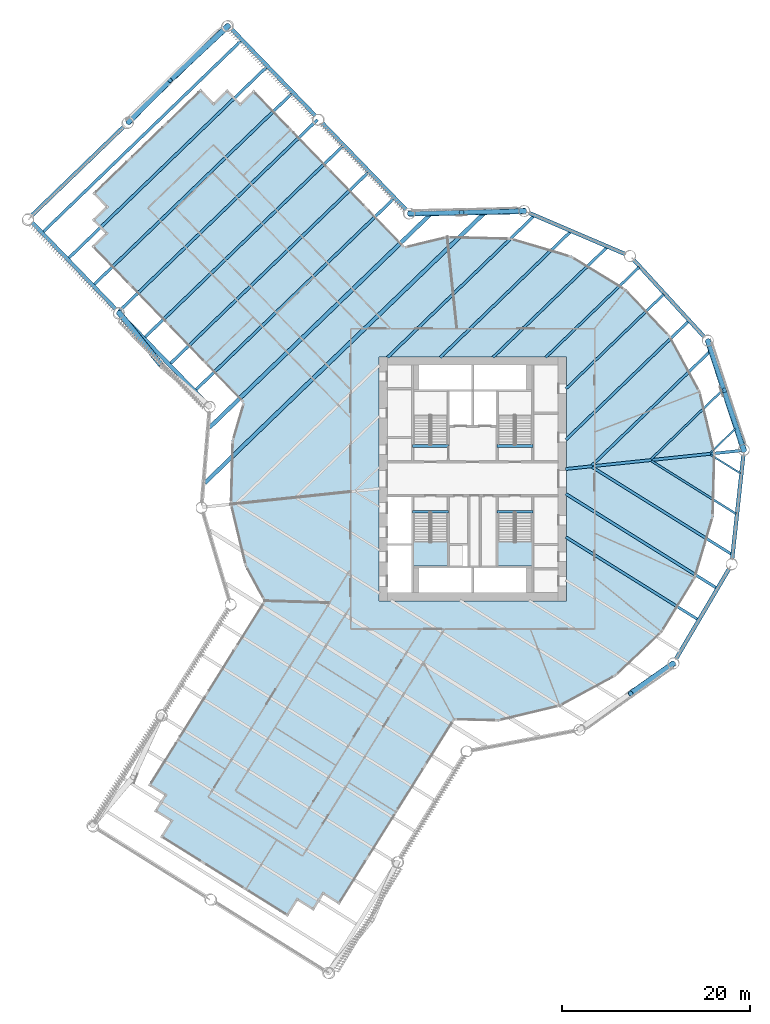
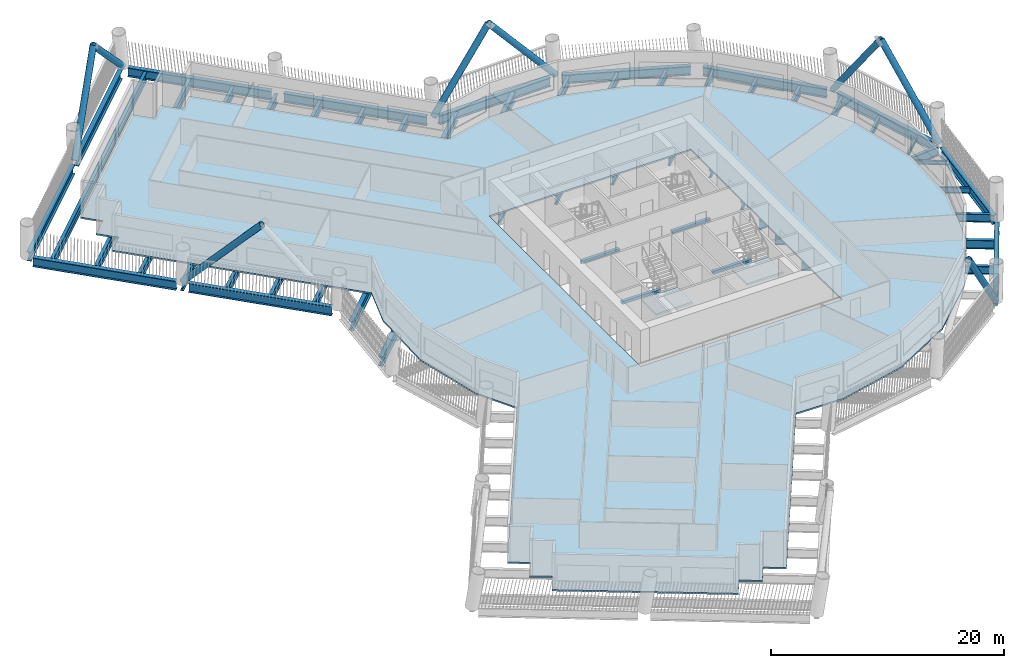
# One storey, part 2 of 22: 40 beams, 8 members, 3 slabs, 2 elements without a shape of their own.
"""IFC4 building model written with IfcOpenShell, lengths in metres."""

import ifcopenshell
import ifcopenshell.guid

model = None  # the IFC model being written
_history = None  # IfcOwnerHistory: only IFC2X3 demands one
_inside = {}  # id of a spatial element -> (the spatial element, [elements in it])
_under = {}  # id of a project, library or spatial element -> (it, [spatial elements below it])
_declared = {}  # id of a project -> (the project, [libraries it declares])
_typed = {}  # id of a type object -> (the type object, [elements of that type])
_made_of = {}  # id of a material, layer set ... -> (it, [elements and type objects made of it])


def new_model(schema):
    """Start an empty IFC model of exactly this schema.

    Asked for "IFC4X3", IfcOpenShell would pick the latest addendum, in which some entities
    have other attributes; the version numbers below select the first issue.
    IFC2X3 requires an IfcOwnerHistory on every rooted entity: one is made here for all.
    """
    global model, _history
    if schema == "IFC4X3":
        model = ifcopenshell.file(schema_version=(4, 3, 0, 0))
    else:
        model = ifcopenshell.file(schema=schema)
    _inside.clear()
    _under.clear()
    _declared.clear()
    _typed.clear()
    _made_of.clear()
    _history = None
    if model.schema == "IFC2X3":
        org = make("IfcOrganization", Name="unknown")
        user = make(
            "IfcPersonAndOrganization",
            ThePerson=make("IfcPerson", FamilyName="unknown"),
            TheOrganization=org,
        )
        app = make(
            "IfcApplication",
            ApplicationDeveloper=org,
            Version="unknown",
            ApplicationFullName="unknown",
            ApplicationIdentifier="unknown",
        )
        _history = make(
            "IfcOwnerHistory",
            OwningUser=user,
            OwningApplication=app,
            ChangeAction="ADDED",
            CreationDate=0,
        )
    return model


def make(cls, **values):
    """One entity of the class cls with the attributes given. An attribute that is None is left unset."""
    return model.create_entity(
        cls, **{name: value for name, value in values.items() if value is not None}
    )


def rooted(cls, **values):
    """An entity with a GlobalId (a new one), such as an element, a storey or a relation."""
    return make(cls, GlobalId=ifcopenshell.guid.new(), OwnerHistory=_history, **values)


def si_unit(unit_type, name, prefix=None):
    """IfcSIUnit, for example si_unit("LENGTHUNIT", "METRE", prefix="MILLI")."""
    return make("IfcSIUnit", UnitType=unit_type, Prefix=prefix, Name=name)


def assignment(units):
    """IfcUnitAssignment: the units of a project."""
    return None if units is None else make("IfcUnitAssignment", Units=units)


def point(xyz):
    """IfcCartesianPoint."""
    return None if xyz is None else make("IfcCartesianPoint", Coordinates=xyz)


def direction(xyz):
    """IfcDirection."""
    return None if xyz is None else make("IfcDirection", DirectionRatios=xyz)


def frame(location, z_axis=None, x_axis=None):
    """IfcAxis2Placement3D, a coordinate frame: its origin and axes. An axis left out is left unset."""
    return make(
        "IfcAxis2Placement3D",
        Location=point(location),
        Axis=direction(z_axis),
        RefDirection=direction(x_axis),
    )


def frame_2d(location, x_axis=None):
    """IfcAxis2Placement2D, a coordinate frame in the plane: its origin and x axis."""
    return make(
        "IfcAxis2Placement2D", Location=point(location), RefDirection=direction(x_axis)
    )


def origin():
    """The frame at (0, 0, 0) with its axes left unset."""
    return frame((0.0, 0.0, 0.0))


def origin_2d():
    """The frame at (0, 0) in the plane with its x axis left unset."""
    return frame_2d((0.0, 0.0))


def place(relative_to, where):
    """IfcLocalPlacement: puts the frame where relative to a parent placement (None: the world)."""
    return make(
        "IfcLocalPlacement", PlacementRelTo=relative_to, RelativePlacement=where
    )


def context(
    kind, dimensions, precision=None, world=None, true_north=None, identifier=None
):
    """IfcGeometricRepresentationContext, for example the 3D "Model" context."""
    return make(
        "IfcGeometricRepresentationContext",
        ContextIdentifier=identifier,
        ContextType=kind,
        CoordinateSpaceDimension=dimensions,
        Precision=precision,
        WorldCoordinateSystem=world,
        TrueNorth=true_north,
    )


def subcontext(parent, identifier, kind, view, scale=None):
    """IfcGeometricRepresentationSubContext, for example "Body" below "Model"."""
    return make(
        "IfcGeometricRepresentationSubContext",
        ContextIdentifier=identifier,
        ContextType=kind,
        ParentContext=parent,
        TargetScale=scale,
        TargetView=view,
    )


def project(units=None, contexts=None):
    """IfcProject with its units and contexts."""
    return rooted(
        "IfcProject",
        Name="project",
        RepresentationContexts=contexts,
        UnitsInContext=assignment(units),
    )


def spatial(cls, under=None, at=None, **own):
    """A site, building, storey or space (cls), placed at a placement, below another one or the project."""
    s = rooted(cls, ObjectPlacement=at, **own)
    if under is not None:
        _under.setdefault(under.id(), (under, []))[1].append(s)
    return s


def polyline(points):
    """IfcPolyline through the points."""
    return make("IfcPolyline", Points=[point(p) for p in points])


def profile(cls, at=None, kind="AREA", **sizes):
    """A parametric profile (cls). Its sizes go by their IFC names, for example OverallWidth=200.0."""
    return make(cls, ProfileType=kind, Position=at, **sizes)


def rectangle(**sizes):
    """IfcRectangleProfileDef."""
    return profile("IfcRectangleProfileDef", **sizes)


def hollow_circle(**sizes):
    """IfcCircleHollowProfileDef."""
    return profile("IfcCircleHollowProfileDef", **sizes)


def i_section(**sizes):
    """IfcIShapeProfileDef."""
    return profile("IfcIShapeProfileDef", **sizes)


def outline(outer, holes=None, kind="AREA"):
    """IfcArbitraryClosedProfileDef: a profile drawn as a closed curve; with holes, ...WithVoids."""
    if holes is None:
        return make("IfcArbitraryClosedProfileDef", ProfileType=kind, OuterCurve=outer)
    return make(
        "IfcArbitraryProfileDefWithVoids",
        ProfileType=kind,
        OuterCurve=outer,
        InnerCurves=holes,
    )


def extrude(swept, where, along, depth):
    """IfcExtrudedAreaSolid: the profile swept, set in the frame where, extruded along a direction by depth."""
    return make(
        "IfcExtrudedAreaSolid",
        SweptArea=swept,
        Position=where,
        ExtrudedDirection=direction(along),
        Depth=depth,
    )


def shape(context_of_items, identifier, shape_type, items):
    """IfcShapeRepresentation: the items that make up one representation, for example the "Body"."""
    return make(
        "IfcShapeRepresentation",
        ContextOfItems=context_of_items,
        RepresentationIdentifier=identifier,
        RepresentationType=shape_type,
        Items=items,
    )


def material(Name=None, Category=None):
    """IfcMaterial."""
    return make("IfcMaterial", Name=Name, Category=Category)


def layer(
    of_material, thickness, ventilated=None, Name=None, Category=None, Priority=None
):
    """IfcMaterialLayer: one layer of a wall or slab, of a material (None: an air gap)."""
    return make(
        "IfcMaterialLayer",
        Material=of_material,
        LayerThickness=thickness,
        IsVentilated=ventilated,
        Name=Name,
        Category=Category,
        Priority=Priority,
    )


def layer_set(layers, Name=None):
    """IfcMaterialLayerSet."""
    return make("IfcMaterialLayerSet", MaterialLayers=layers, LayerSetName=Name)


def material_profile(
    of_material, cross_section, Name=None, Category=None, Priority=None
):
    """IfcMaterialProfile: a cross section and its material."""
    return make(
        "IfcMaterialProfile",
        Name=Name,
        Material=of_material,
        Profile=cross_section,
        Priority=Priority,
        Category=Category,
    )


def profile_set(profiles, Name=None, composite=None):
    """IfcMaterialProfileSet."""
    return make(
        "IfcMaterialProfileSet",
        Name=Name,
        MaterialProfiles=profiles,
        CompositeProfile=composite,
    )


def made_of(thing, what):
    """Note that an element or type object is made of a material, layer set ...; save() writes the relation."""
    if what is not None:
        _made_of.setdefault(what.id(), (what, []))[1].append(thing)
    return thing


def type_object(cls, material=None, **own):
    """A type object (cls), such as IfcWallType, which elements share."""
    return made_of(rooted(cls, **own), material)


def element(
    cls,
    number,
    at=None,
    inside=None,
    cuts=None,
    type_object=None,
    material=None,
    context=None,
    identifier="Body",
    shape_type=None,
    held_by="IfcProductDefinitionShape",
    body=None,
    shapes=None,
    **own,
):
    """One element of the class cls, such as IfcWall. Its Tag is "e" and its number.

    at: its placement. inside: the storey or other place that contains it. cuts: it is an
    opening in that element (IfcRelVoidsElement). A single representation is given by context,
    identifier, shape_type and body (its items); several are given by shapes. held_by: the class
    of the entity that holds the representations. save() writes the other relations.
    """
    e = rooted(cls, Tag="e%d" % number, ObjectPlacement=at, **own)
    if body is not None:
        shapes = [shape(context, identifier, shape_type, body)]
    if shapes is not None:
        e.Representation = make(held_by, Representations=shapes)
    if inside is not None:
        _inside.setdefault(inside.id(), (inside, []))[1].append(e)
    if cuts is not None:
        rooted(
            "IfcRelVoidsElement", RelatingBuildingElement=cuts, RelatedOpeningElement=e
        )
    if type_object is not None:
        _typed.setdefault(type_object.id(), (type_object, []))[1].append(e)
    return made_of(e, material)


def aggregate(whole, parts):
    """IfcRelAggregates: a whole, such as a stair, and the parts it consists of."""
    return rooted("IfcRelAggregates", RelatingObject=whole, RelatedObjects=parts)


def save(model, path):
    """Write the relations noted so far, then the file.

    IfcRelAggregates (storeys below a building ...), IfcRelContainedInSpatialStructure (elements
    in a storey), IfcRelDefinesByType, IfcRelAssociatesMaterial and IfcRelDeclares: one each for
    every whole, place, type object, material and project.
    """
    for whole, parts in _under.values():
        aggregate(whole, parts)
    for where, things in _inside.values():
        rooted(
            "IfcRelContainedInSpatialStructure",
            RelatedElements=things,
            RelatingStructure=where,
        )
    for kind, things in _typed.values():
        rooted("IfcRelDefinesByType", RelatedObjects=things, RelatingType=kind)
    for what, things in _made_of.values():
        rooted("IfcRelAssociatesMaterial", RelatedObjects=things, RelatingMaterial=what)
    for by, libraries in _declared.values():
        rooted("IfcRelDeclares", RelatingContext=by, RelatedDefinitions=libraries)
    model.write(path)


model = new_model("IFC4")

# Units and contexts
model_context = context("Model", 3, precision=1e-05, world=origin(), true_north=direction((0.0, 1.0)))
body_context = subcontext(model_context, "Body", "Model", "MODEL_VIEW")
ifc_project = project(units=[si_unit("LENGTHUNIT", "METRE"), si_unit("AREAUNIT", "SQUARE_METRE"), si_unit("VOLUMEUNIT", "CUBIC_METRE"), si_unit("PLANEANGLEUNIT", "RADIAN"), si_unit("MASSUNIT", "GRAM", prefix="KILO")], contexts=[model_context])

# Site, building, storey
site_placement = place(None, origin())
site = spatial("IfcSite", under=ifc_project, at=site_placement, CompositionType="ELEMENT")
building_placement = place(site_placement, origin())
building = spatial("IfcBuilding", under=site, at=building_placement, Name="Tarsis Ring Headquarters", CompositionType="ELEMENT")
storey_placement = place(building_placement, frame((0.0, 0.0, 71.199951171875)))
storey = spatial("IfcBuildingStorey", under=building, at=storey_placement, Name="L15", CompositionType="ELEMENT", Elevation=71.199951171875)

# Beams
ifc_material_1 = material(Name="Structural steel S355", Category="steel")
ifc_material_profile_1 = material_profile(ifc_material_1, i_section(OverallWidth=0.177734375, OverallDepth=0.406494140625, WebThickness=0.0078125, FlangeThickness=0.0126953125, at=origin_2d()), Name="W16x40")
ifc_profile_set_1 = profile_set([ifc_material_profile_1], Name="Structural steel S355")
beam_type_1 = type_object("IfcBeamType", Name="FB Floor beam W16x40", PredefinedType="JOIST", material=ifc_profile_set_1)
beam_1_placement = place(storey_placement, frame((25.328369140625, 2.568115234375, -0.363037109375), z_axis=(0.848060616027, -0.529899227726, 0.0), x_axis=(0.529899227726, 0.848060616027, 0.0)))
element("IfcBeam", 1, at=beam_1_placement, inside=storey, type_object=beam_type_1, Name="Floor beam FB1", PredefinedType="JOIST", context=body_context, shape_type="SweptSolid", body=[
    extrude(i_section(OverallWidth=0.177734375, OverallDepth=0.406494140625, WebThickness=0.0078125, FlangeThickness=0.0126953125, at=origin_2d()), origin(), (0.0, 0.0, 1.0), 3.74169921875),
])
beam_2_placement = place(storey_placement, frame((28.00048828125, 5.353271484375, -0.363037109375), z_axis=(-0.719330630477, -0.694667866003, 0.0), x_axis=(0.694667866003, -0.719330630477, 0.0)))
element("IfcBeam", 2, at=beam_2_placement, inside=storey, type_object=beam_type_1, Name="Floor beam FB1", PredefinedType="JOIST", context=body_context, shape_type="SweptSolid", body=[
    extrude(i_section(OverallWidth=0.177734375, OverallDepth=0.406494140625, WebThickness=0.0078125, FlangeThickness=0.0126953125, at=origin_2d()), origin(), (0.0, 0.0, 1.0), 3.741943359375),
])
ifc_material_profile_2 = material_profile(ifc_material_1, i_section(OverallWidth=0.228271484375, OverallDepth=0.607177734375, WebThickness=0.01123046875, FlangeThickness=0.017333984375, at=origin_2d()), Name="W24x76")
ifc_profile_set_2 = profile_set([ifc_material_profile_2], Name="Structural steel S355")
beam_type_2 = type_object("IfcBeamType", Name="FB Floor beam W24x76", PredefinedType="JOIST", material=ifc_profile_set_2)
beam_3_placement = place(storey_placement, frame((19.028564453125, 1.906005859375, -0.463623046875), z_axis=(0.848047371716, -0.529920423579, 0.0), x_axis=(0.529920423579, 0.848047371716, 0.0)))
element("IfcBeam", 3, at=beam_3_placement, inside=storey, type_object=beam_type_2, Name="Floor beam FB4", PredefinedType="JOIST", context=body_context, shape_type="SweptSolid", body=[
    extrude(i_section(OverallWidth=0.228271484375, OverallDepth=0.607177734375, WebThickness=0.01123046875, FlangeThickness=0.017333984375, at=origin_2d()), origin(), (0.0, 0.0, 1.0), 10.621337890625),
])
beam_4_placement = place(storey_placement, frame((26.649169921875, 9.469970703125, -0.463623046875), z_axis=(-0.719331352462, -0.694667118385, 0.0), x_axis=(0.694667118385, -0.719331352462, 0.0)))
element("IfcBeam", 4, at=beam_4_placement, inside=storey, type_object=beam_type_2, Name="Floor beam FB4", PredefinedType="JOIST", context=body_context, shape_type="SweptSolid", body=[
    extrude(i_section(OverallWidth=0.228271484375, OverallDepth=0.607177734375, WebThickness=0.01123046875, FlangeThickness=0.017333984375, at=origin_2d()), origin(), (0.0, 0.0, 1.0), 10.62109375),
])
ifc_material_profile_3 = material_profile(ifc_material_1, i_section(OverallWidth=0.2666015625, OverallDepth=0.7568359375, WebThickness=0.013916015625, FlangeThickness=0.019287109375, at=origin_2d()), Name="W30x108")
ifc_profile_set_3 = profile_set([ifc_material_profile_3], Name="Structural steel S355")
beam_type_3 = type_object("IfcBeamType", Name="FB Floor beam W30x108", PredefinedType="JOIST", material=ifc_profile_set_3)
beam_5_placement = place(storey_placement, frame((20.352294921875, 19.65380859375, -0.538330078125), z_axis=(-0.719348044623, -0.694649833151, 0.0), x_axis=(0.694649833151, -0.719348044623, 0.0)))
element("IfcBeam", 5, at=beam_5_placement, inside=storey, type_object=beam_type_3, Name="Floor beam FB6", PredefinedType="JOIST", context=body_context, shape_type="SweptSolid", body=[
    extrude(i_section(OverallWidth=0.2666015625, OverallDepth=0.7568359375, WebThickness=0.013916015625, FlangeThickness=0.019287109375, at=origin_2d()), origin(), (0.0, 0.0, 1.0), 14.491455078125),
])
beam_6_placement = place(storey_placement, frame((17.7158203125, 22.529541015625, -0.538330078125), z_axis=(-0.719339963367, -0.694658201638, 0.0), x_axis=(0.694658201638, -0.719339963367, 0.0)))
element("IfcBeam", 6, at=beam_6_placement, inside=storey, type_object=beam_type_3, Name="Floor beam FB6", PredefinedType="JOIST", context=body_context, shape_type="SweptSolid", body=[
    extrude(i_section(OverallWidth=0.2666015625, OverallDepth=0.7568359375, WebThickness=0.013916015625, FlangeThickness=0.019287109375, at=origin_2d()), origin(), (0.0, 0.0, 1.0), 13.818359375),
])
ifc_material_profile_4 = material_profile(ifc_material_1, i_section(OverallWidth=0.2919921875, OverallDepth=0.835693359375, WebThickness=0.013916015625, FlangeThickness=0.018798828125, at=origin_2d()), Name="W33x118")
ifc_profile_set_4 = profile_set([ifc_material_profile_4], Name="Structural steel S355")
beam_type_4 = type_object("IfcBeamType", Name="FB Floor beam W33x118", PredefinedType="JOIST", material=ifc_profile_set_4)
beam_7_placement = place(storey_placement, frame((12.728515625, 1.243896484375, -0.577880859375), z_axis=(0.848050809283, -0.529914922298, 0.0), x_axis=(0.529914922298, 0.848050809283, 0.0)))
element("IfcBeam", 7, at=beam_7_placement, inside=storey, type_object=beam_type_4, Name="Floor beam FB7", PredefinedType="JOIST", context=body_context, shape_type="SweptSolid", body=[
    extrude(i_section(OverallWidth=0.2919921875, OverallDepth=0.835693359375, WebThickness=0.013916015625, FlangeThickness=0.018798828125, at=origin_2d()), origin(), (0.0, 0.0, 1.0), 17.500732421875),
])
beam_8_placement = place(storey_placement, frame((9.915283203125, -6.19580078125, -0.577880859375), z_axis=(0.848052828452, -0.529911690903, 0.0), x_axis=(0.529911690903, 0.848052828452, 0.0)))
element("IfcBeam", 8, at=beam_8_placement, inside=storey, type_object=beam_type_4, Name="Floor beam FB7", PredefinedType="JOIST", context=body_context, shape_type="SweptSolid", body=[
    extrude(i_section(OverallWidth=0.2919921875, OverallDepth=0.835693359375, WebThickness=0.013916015625, FlangeThickness=0.018798828125, at=origin_2d()), origin(), (0.0, 0.0, 1.0), 16.60107421875),
])
beam_9_placement = place(storey_placement, frame((25.298095703125, 13.586669921875, -0.577880859375), z_axis=(-0.719344970431, -0.694653016632, 0.0), x_axis=(0.694653016632, -0.719344970431, 0.0)))
element("IfcBeam", 9, at=beam_9_placement, inside=storey, type_object=beam_type_4, Name="Floor beam FB7", PredefinedType="JOIST", context=body_context, shape_type="SweptSolid", body=[
    extrude(i_section(OverallWidth=0.2919921875, OverallDepth=0.835693359375, WebThickness=0.013916015625, FlangeThickness=0.018798828125, at=origin_2d()), origin(), (0.0, 0.0, 1.0), 17.500732421875),
])
beam_10_placement = place(storey_placement, frame((22.988525390625, 16.7783203125, -0.577880859375), z_axis=(-0.719336351357, -0.694661941967, 0.0), x_axis=(0.694661941967, -0.719336351357, 0.0)))
element("IfcBeam", 10, at=beam_10_placement, inside=storey, type_object=beam_type_4, Name="Floor beam FB7", PredefinedType="JOIST", context=body_context, shape_type="SweptSolid", body=[
    extrude(i_section(OverallWidth=0.2919921875, OverallDepth=0.835693359375, WebThickness=0.013916015625, FlangeThickness=0.018798828125, at=origin_2d()), origin(), (0.0, 0.0, 1.0), 18.156494140625),
])
beam_11_placement = place(storey_placement, frame((14.28955078125, 24.642578125, -0.577880859375), z_axis=(-0.719336336343, -0.694661957513, 0.0), x_axis=(0.694661957513, -0.719336336343, 0.0)))
element("IfcBeam", 11, at=beam_11_placement, inside=storey, type_object=beam_type_4, Name="Floor beam FB7", PredefinedType="JOIST", context=body_context, shape_type="SweptSolid", body=[
    extrude(i_section(OverallWidth=0.2919921875, OverallDepth=0.835693359375, WebThickness=0.013916015625, FlangeThickness=0.018798828125, at=origin_2d()), origin(), (0.0, 0.0, 1.0), 16.860107421875),
])
ifc_material_profile_5 = material_profile(ifc_material_1, i_section(OverallWidth=0.3046875, OverallDepth=0.904296875, WebThickness=0.01513671875, FlangeThickness=0.02001953125, at=origin_2d()), Name="W36x135")
ifc_profile_set_5 = profile_set([ifc_material_profile_5], Name="Structural steel S355")
beam_type_5 = type_object("IfcBeamType", Name="FB Floor beam W36x135", PredefinedType="JOIST", material=ifc_profile_set_5)
beam_12_placement = place(storey_placement, frame((9.915283203125, -1.596923828125, -0.612060546875), z_axis=(0.848043930984, -0.529925929844, 0.0), x_axis=(0.529925929844, 0.848043930984, 0.0)))
element("IfcBeam", 12, at=beam_12_placement, inside=storey, type_object=beam_type_5, Name="Floor beam FB8", PredefinedType="JOIST", context=body_context, shape_type="SweptSolid", body=[
    extrude(i_section(OverallWidth=0.3046875, OverallDepth=0.904296875, WebThickness=0.01513671875, FlangeThickness=0.02001953125, at=origin_2d()), origin(), (0.0, 0.0, 1.0), 18.93701171875),
])
beam_13_placement = place(storey_placement, frame((10.397705078125, 26.305908203125, -0.612060546875), z_axis=(-0.719336350883, -0.694661942457, 0.0), x_axis=(0.694661942457, -0.719336350883, 0.0)))
element("IfcBeam", 13, at=beam_13_placement, inside=storey, type_object=beam_type_5, Name="Floor beam FB8", PredefinedType="JOIST", context=body_context, shape_type="SweptSolid", body=[
    extrude(i_section(OverallWidth=0.3046875, OverallDepth=0.904296875, WebThickness=0.01513671875, FlangeThickness=0.02001953125, at=origin_2d()), origin(), (0.0, 0.0, 1.0), 19.254638671875),
])
ifc_material_profile_6 = material_profile(ifc_material_1, i_section(OverallWidth=0.3046875, OverallDepth=0.91943359375, WebThickness=0.017333984375, FlangeThickness=0.02783203125, at=origin_2d()), Name="W36x170")
ifc_profile_set_6 = profile_set([ifc_material_profile_6], Name="Structural steel S355")
beam_type_6 = type_object("IfcBeamType", Name="FB Floor beam W36x170", PredefinedType="JOIST", material=ifc_profile_set_6)
beam_14_placement = place(storey_placement, frame((6.506103515625, 27.969482421875, -0.61962890625), z_axis=(-0.719336168915, -0.694662130889, 0.0), x_axis=(0.694662130889, -0.719336168915, 0.0)))
element("IfcBeam", 14, at=beam_14_placement, inside=storey, type_object=beam_type_6, Name="Floor beam FB9", PredefinedType="JOIST", context=body_context, shape_type="SweptSolid", body=[
    extrude(i_section(OverallWidth=0.3046875, OverallDepth=0.91943359375, WebThickness=0.017333984375, FlangeThickness=0.02783203125, at=origin_2d()), origin(), (0.0, 0.0, 1.0), 21.6494140625),
])
ifc_material_profile_7 = material_profile(ifc_material_1, i_section(OverallWidth=0.309814453125, OverallDepth=0.949951171875, WebThickness=0.0244140625, FlangeThickness=0.0439453125, at=origin_2d()), Name="W36x256")
ifc_profile_set_7 = profile_set([ifc_material_profile_7], Name="Structural steel S355")
beam_type_7 = type_object("IfcBeamType", Name="FB Floor beam W36x256", PredefinedType="JOIST", material=ifc_profile_set_7)
beam_15_placement = place(storey_placement, frame((-8.398681640625, 29.841064453125, -0.635009765625), z_axis=(-0.719336729341, -0.694661550556, 0.0), x_axis=(0.694661550556, -0.719336729341, 0.0)))
element("IfcBeam", 15, at=beam_15_placement, inside=storey, type_object=beam_type_7, Name="Floor beam FB11", PredefinedType="JOIST", context=body_context, shape_type="SweptSolid", body=[
    extrude(i_section(OverallWidth=0.309814453125, OverallDepth=0.949951171875, WebThickness=0.0244140625, FlangeThickness=0.0439453125, at=origin_2d()), origin(), (0.0, 0.0, 1.0), 29.375732421875),
])
beam_16_placement = place(storey_placement, frame((-11.107666015625, 32.646484375, -0.635009765625), z_axis=(-0.719340739788, -0.69465739763, 0.0), x_axis=(0.69465739763, -0.719340739788, 0.0)))
element("IfcBeam", 16, at=beam_16_placement, inside=storey, type_object=beam_type_7, Name="Floor beam FB11", PredefinedType="JOIST", context=body_context, shape_type="SweptSolid", body=[
    extrude(i_section(OverallWidth=0.309814453125, OverallDepth=0.949951171875, WebThickness=0.0244140625, FlangeThickness=0.0439453125, at=origin_2d()), origin(), (0.0, 0.0, 1.0), 29.3759765625),
])
for number, where, z_axis, x_axis, name in (
    (17, (-13.81689453125, 35.451904296875, -0.635009765625), (-0.719336729341, -0.694661550556, 0.0), (0.694661550556, -0.719336729341, 0.0), "Floor beam FB11"),
    (18, (-16.526123046875, 38.25732421875, -0.635009765625), (-0.719336729341, -0.694661550556, 0.0), (0.694661550556, -0.719336729341, 0.0), "Floor beam FB11"),
    (19, (-19.2353515625, 41.062744140625, -0.635009765625), (-0.719336729341, -0.694661550556, 0.0), (0.694661550556, -0.719336729341, 0.0), "Floor beam FB11"),
):
    element("IfcBeam", number, at=place(storey_placement, frame(where, z_axis=z_axis, x_axis=x_axis)), inside=storey, type_object=beam_type_7, Name=name, PredefinedType="JOIST", context=body_context, shape_type="SweptSolid", body=[
        extrude(i_section(OverallWidth=0.309814453125, OverallDepth=0.949951171875, WebThickness=0.0244140625, FlangeThickness=0.0439453125, at=origin_2d()), origin(), (0.0, 0.0, 1.0), 29.375732421875),
    ])
beam_17_placement = place(storey_placement, frame((-21.9443359375, 43.8681640625, -0.635009765625), z_axis=(-0.719340739788, -0.69465739763, 0.0), x_axis=(0.69465739763, -0.719340739788, 0.0)))
element("IfcBeam", 20, at=beam_17_placement, inside=storey, type_object=beam_type_7, Name="Floor beam FB11", PredefinedType="JOIST", context=body_context, shape_type="SweptSolid", body=[
    extrude(i_section(OverallWidth=0.309814453125, OverallDepth=0.949951171875, WebThickness=0.0244140625, FlangeThickness=0.0439453125, at=origin_2d()), origin(), (0.0, 0.0, 1.0), 29.3759765625),
])
beam_18_placement = place(storey_placement, frame((-24.653564453125, 46.673583984375, -0.635009765625), z_axis=(-0.719336729341, -0.694661550556, 0.0), x_axis=(0.694661550556, -0.719336729341, 0.0)))
element("IfcBeam", 21, at=beam_18_placement, inside=storey, type_object=beam_type_7, Name="Floor beam FB11", PredefinedType="JOIST", context=body_context, shape_type="SweptSolid", body=[
    extrude(i_section(OverallWidth=0.309814453125, OverallDepth=0.949951171875, WebThickness=0.0244140625, FlangeThickness=0.0439453125, at=origin_2d()), origin(), (0.0, 0.0, 1.0), 29.375732421875),
])
beam_type_8 = type_object("IfcBeamType", Name="FB Floor beam W36x256 spine", PredefinedType="BEAM", material=ifc_profile_set_7)
beam_19_placement = place(storey_placement, frame((28.77294921875, 3.024169921875, -0.635009765625), z_axis=(-0.994521443956, -0.104532758077, 0.0), x_axis=(0.104532758077, -0.994521443956, 0.0)))
element("IfcBeam", 22, at=beam_19_placement, inside=storey, type_object=beam_type_8, Name="Floor beam SB11", PredefinedType="BEAM", context=body_context, shape_type="SweptSolid", body=[
    extrude(i_section(OverallWidth=0.309814453125, OverallDepth=0.949951171875, WebThickness=0.0244140625, FlangeThickness=0.0439453125, at=origin_2d()), origin(), (0.0, 0.0, 1.0), 18.976318359375),
])
ifc_material_profile_8 = material_profile(ifc_material_1, i_section(OverallWidth=0.42431640625, OverallDepth=0.947509765625, WebThickness=0.02392578125, FlangeThickness=0.042724609375, at=origin_2d()), Name="W36x302")
ifc_profile_set_8 = profile_set([ifc_material_profile_8], Name="Structural steel S355")
beam_type_9 = type_object("IfcBeamType", Name="FB Floor beam W36x302", PredefinedType="JOIST", material=ifc_profile_set_8)
beam_20_placement = place(storey_placement, frame((1.216552734375, 28.282958984375, -0.633544921875), z_axis=(-0.719341031684, -0.694657095361, 0.0), x_axis=(0.694657095361, -0.719341031684, 0.0)))
element("IfcBeam", 23, at=beam_20_placement, inside=storey, type_object=beam_type_9, Name="Floor beam FB12", PredefinedType="JOIST", context=body_context, shape_type="SweptSolid", body=[
    extrude(i_section(OverallWidth=0.42431640625, OverallDepth=0.947509765625, WebThickness=0.02392578125, FlangeThickness=0.042724609375, at=origin_2d()), origin(), (0.0, 0.0, 1.0), 41.352783203125),
])
beam_21_placement = place(storey_placement, frame((-4.52197265625, 28.1630859375, -0.633544921875), z_axis=(-0.719338687684, -0.694659522645, 0.0), x_axis=(0.694659522645, -0.719338687684, 0.0)))
element("IfcBeam", 24, at=beam_21_placement, inside=storey, type_object=beam_type_9, Name="Floor beam FB12", PredefinedType="JOIST", context=body_context, shape_type="SweptSolid", body=[
    extrude(i_section(OverallWidth=0.42431640625, OverallDepth=0.947509765625, WebThickness=0.02392578125, FlangeThickness=0.042724609375, at=origin_2d()), origin(), (0.0, 0.0, 1.0), 32.704833984375),
])
ifc_material_2 = material(Name="Concrete C40/50", Category="concrete")
ifc_material_profile_9 = material_profile(ifc_material_2, rectangle(XDim=0.300048828125, YDim=0.300048828125, at=origin_2d()), Name="Stair head beam 300x300 C40/50")
ifc_profile_set_9 = profile_set([ifc_material_profile_9], Name="Concrete C40/50")
beam_type_10 = type_object("IfcBeamType", Name="Stair head beam 300x300 C40/50", PredefinedType="BEAM", material=ifc_profile_set_9)
for number, where, z_axis, x_axis, name in (
    (25, (-6.39990234375, 3.510009765625, -0.31005859375), (1.0, 0.0, 0.0), (0.0, 1.0, 0.0), "Stair head beam L15 Firefighting stair"),
    (26, (2.60009765625, 3.510009765625, -0.31005859375), (1.0, 0.0, 0.0), (0.0, 1.0, 0.0), "Stair head beam L15 Exit stair B"),
    (27, (-6.39990234375, -3.510009765625, -0.31005859375), (1.0, 0.0, 0.0), (0.0, 1.0, 0.0), "Stair head beam L15 Exit stair C"),
    (28, (2.60009765625, -3.510009765625, -0.31005859375), (1.0, 0.0, 0.0), (0.0, 1.0, 0.0), "Stair head beam L15 Exit stair D"),
):
    element("IfcBeam", number, at=place(storey_placement, frame(where, z_axis=z_axis, x_axis=x_axis)), inside=storey, type_object=beam_type_10, Name=name, PredefinedType="BEAM", context=body_context, shape_type="SweptSolid", body=[
        extrude(rectangle(XDim=0.300048828125, YDim=0.300048828125, at=origin_2d()), origin(), (0.0, 0.0, 1.0), 3.7998046875),
    ])

# Members
ifc_material_profile_10 = material_profile(ifc_material_1, hollow_circle(Radius=0.3046875, WallThickness=0.02490234375, at=origin_2d()), Name="CHS 610x25")
ifc_profile_set_10 = profile_set([ifc_material_profile_10], Name="Structural steel S355")
member_type = type_object("IfcMemberType", Name="XD X brace CHS 610x25", PredefinedType="BRACE", material=ifc_profile_set_10)
member_1_placement = place(storey_placement, frame((21.353271484375, -19.69384765625, 0.0), z_axis=(-0.473280425279, -0.332381510432, 0.815799099393), x_axis=(0.574721023729, -0.81834940269, 0.0)))
element("IfcMember", 29, at=member_1_placement, inside=storey, type_object=member_type, Name="X brace XD1", PredefinedType="BRACE", context=body_context, shape_type="SweptSolid", body=[
    extrude(hollow_circle(Radius=0.3046875, WallThickness=0.02490234375, at=origin_2d()), origin(), (0.0, 0.0, 1.0), 9.561279296875),
])
member_2_placement = place(storey_placement, frame((28.889404296875, 3.036376953125, 0.0), z_axis=(-0.204110360537, 0.619919708933, 0.757653294851), x_axis=(-0.949839613041, -0.312737444989, 0.0)))
element("IfcMember", 30, at=member_2_placement, inside=storey, type_object=member_type, Name="X brace XD1", PredefinedType="BRACE", context=body_context, shape_type="SweptSolid", body=[
    extrude(hollow_circle(Radius=0.3046875, WallThickness=0.02490234375, at=origin_2d()), origin(), (0.0, 0.0, 1.0), 10.294921875),
])
member_3_placement = place(storey_placement, frame((25.069580078125, 14.67431640625, 0.0), z_axis=(0.179735955537, -0.549702464951, 0.815795431658), x_axis=(0.95048228409, 0.310778743855, 0.0)))
element("IfcMember", 31, at=member_3_placement, inside=storey, type_object=member_type, Name="X brace XD1", PredefinedType="BRACE", context=body_context, shape_type="SweptSolid", body=[
    extrude(hollow_circle(Radius=0.3046875, WallThickness=0.02490234375, at=origin_2d()), origin(), (0.0, 0.0, 1.0), 9.561279296875),
])
member_4_placement = place(storey_placement, frame((5.529052734375, 28.517578125, 0.0), z_axis=(-0.652502405265, -0.01427608388, 0.757652165939), x_axis=(0.021873740365, -0.999760741119, 0.0)))
element("IfcMember", 32, at=member_4_placement, inside=storey, type_object=member_type, Name="X brace XD1", PredefinedType="BRACE", context=body_context, shape_type="SweptSolid", body=[
    extrude(hollow_circle(Radius=0.3046875, WallThickness=0.02490234375, at=origin_2d()), origin(), (0.0, 0.0, 1.0), 10.294921875),
])
member_5_placement = place(storey_placement, frame((-6.717041015625, 28.26123046875, 0.0), z_axis=(0.578225331968, 0.01143938833, 0.815796914597), x_axis=(-0.019779746259, 0.999804361682, 0.0)))
element("IfcMember", 33, at=member_5_placement, inside=storey, type_object=member_type, Name="X brace XD1", PredefinedType="BRACE", context=body_context, shape_type="SweptSolid", body=[
    extrude(hollow_circle(Radius=0.3046875, WallThickness=0.02490234375, at=origin_2d()), origin(), (0.0, 0.0, 1.0), 9.561279296875),
])
member_6_placement = place(storey_placement, frame((-26.03173828125, 48.26220703125, 0.0), z_axis=(-0.538796991275, -0.503052038961, 0.675748805615), x_axis=(0.682445009262, -0.730936939368, 0.0)))
element("IfcMember", 34, at=member_6_placement, inside=storey, type_object=member_type, Name="X brace XD1", PredefinedType="BRACE", context=body_context, shape_type="SweptSolid", body=[
    extrude(hollow_circle(Radius=0.3046875, WallThickness=0.02490234375, at=origin_2d()), origin(), (0.0, 0.0, 1.0), 11.542724609375),
])
member_7_placement = place(storey_placement, frame((-36.677978515625, 37.981201171875, 0.0), z_axis=(0.441687567713, 0.446413062013, 0.778220708149), x_axis=(-0.710859162546, 0.703334380665, 0.0)))
element("IfcMember", 35, at=member_7_placement, inside=storey, type_object=member_type, Name="X brace XD1", PredefinedType="BRACE", context=body_context, shape_type="SweptSolid", body=[
    extrude(hollow_circle(Radius=0.3046875, WallThickness=0.02490234375, at=origin_2d()), origin(), (0.0, 0.0, 1.0), 10.02294921875),
])
member_8_placement = place(storey_placement, frame((-37.6669921875, 17.69970703125, 0.0), z_axis=(0.427819660448, -0.532723354099, 0.730189130384), x_axis=(0.779695855583, 0.626158424671, 0.0)))
element("IfcMember", 36, at=member_8_placement, inside=storey, type_object=member_type, Name="X brace XD1", PredefinedType="BRACE", context=body_context, shape_type="SweptSolid", body=[
    extrude(hollow_circle(Radius=0.3046875, WallThickness=0.02490234375, at=origin_2d()), origin(), (0.0, 0.0, 1.0), 10.68212890625),
])

# Beams
beam_type_11 = type_object("IfcBeamType", Name="XG Ring girder W36x302", PredefinedType="BEAM", material=ifc_profile_set_8)
for number, where, z_axis, x_axis, name in (
    (37, (21.6318359375, -19.22119140625, -0.4736328125), (0.507741347083, 0.861509561446, 0.0), (-0.861509561446, 0.507741347083, 0.0), "Ring girder XG1"),
    (38, (27.631591796875, -8.595947265625, -0.4736328125), (0.107494710058, 0.994205656446, 0.0), (-0.994205656446, 0.107494710058, 0.0), "Ring girder XG1"),
    (39, (28.71826171875, 3.5576171875, -0.4736328125), (-0.311863372872, 0.95012695818, 0.0), (-0.95012695818, -0.311863372872, 0.0), "Ring girder XG1"),
    (40, (24.69873046875, 15.078857421875, -0.4736328125), (-0.675769239299, 0.7371132445, 0.0), (-0.7371132445, -0.675769239299, 0.0), "Ring girder XG1"),
    (41, (16.28759765625, 23.918701171875, -0.4736328125), (-0.91952056407, 0.393041896306, 0.0), (-0.393041896306, -0.91952056407, 0.0), "Ring girder XG1"),
    (42, (4.98046875, 28.506103515625, -0.4736328125), (-0.999780952597, -0.020929568193, 0.0), (0.020929568193, -0.999780952597, 0.0), "Ring girder XG1"),
):
    element("IfcBeam", number, at=place(storey_placement, frame(where, z_axis=z_axis, x_axis=x_axis)), inside=storey, type_object=beam_type_11, Name=name, PredefinedType="BEAM", context=body_context, shape_type="SweptSolid", body=[
        extrude(i_section(OverallWidth=0.42431640625, OverallDepth=0.947509765625, WebThickness=0.02392578125, FlangeThickness=0.042724609375, at=origin_2d()), origin(), (0.0, 0.0, 1.0), 11.151611328125),
    ])
beam_22_placement = place(storey_placement, frame((-7.09814453125, 28.65576171875, -0.4736328125), z_axis=(-0.694663581607, 0.719334767955, 0.0), x_axis=(-0.719334767955, -0.694663581607, 0.0)))
element("IfcBeam", 43, at=beam_22_placement, inside=storey, type_object=beam_type_11, Name="Ring girder XG1", PredefinedType="BEAM", context=body_context, shape_type="SweptSolid", body=[
    extrude(i_section(OverallWidth=0.42431640625, OverallDepth=0.947509765625, WebThickness=0.02392578125, FlangeThickness=0.042724609375, at=origin_2d()), origin(), (0.0, 0.0, 1.0), 12.80517578125),
])
beam_23_placement = place(storey_placement, frame((-16.755615234375, 38.65625, -0.4736328125), z_axis=(-0.694653715939, 0.719344295127, 0.0), x_axis=(-0.719344295127, -0.694653715939, 0.0)))
element("IfcBeam", 44, at=beam_23_placement, inside=storey, type_object=beam_type_11, Name="Ring girder XG1", PredefinedType="BEAM", context=body_context, shape_type="SweptSolid", body=[
    extrude(i_section(OverallWidth=0.42431640625, OverallDepth=0.947509765625, WebThickness=0.02392578125, FlangeThickness=0.042724609375, at=origin_2d()), origin(), (0.0, 0.0, 1.0), 12.804931640625),
])
beam_24_placement = place(storey_placement, frame((-26.426513671875, 47.880859375, -0.4736328125), z_axis=(-0.719337600396, -0.694660648559, 0.0), x_axis=(0.694660648559, -0.719337600396, 0.0)))
element("IfcBeam", 45, at=beam_24_placement, inside=storey, type_object=beam_type_11, Name="Ring girder XG1", PredefinedType="BEAM", context=body_context, shape_type="SweptSolid", body=[
    extrude(i_section(OverallWidth=0.42431640625, OverallDepth=0.947509765625, WebThickness=0.02392578125, FlangeThickness=0.042724609375, at=origin_2d()), origin(), (0.0, 0.0, 1.0), 13.702392578125),
])
beam_25_placement = place(storey_placement, frame((-37.072509765625, 37.60009765625, -0.4736328125), z_axis=(-0.719337294978, -0.694660964826, 0.0), x_axis=(0.694660964826, -0.719337294978, 0.0)))
element("IfcBeam", 46, at=beam_25_placement, inside=storey, type_object=beam_type_11, Name="Ring girder XG1", PredefinedType="BEAM", context=body_context, shape_type="SweptSolid", body=[
    extrude(i_section(OverallWidth=0.42431640625, OverallDepth=0.947509765625, WebThickness=0.02392578125, FlangeThickness=0.042724609375, at=origin_2d()), origin(), (0.0, 0.0, 1.0), 13.702880859375),
])
beam_26_placement = place(storey_placement, frame((-46.943115234375, 27.305419921875, -0.4736328125), z_axis=(0.694663243239, -0.719335094717, 0.0), x_axis=(0.719335094717, 0.694663243239, 0.0)))
element("IfcBeam", 47, at=beam_26_placement, inside=storey, type_object=beam_type_11, Name="Ring girder XG1", PredefinedType="BEAM", context=body_context, shape_type="SweptSolid", body=[
    extrude(i_section(OverallWidth=0.42431640625, OverallDepth=0.947509765625, WebThickness=0.02392578125, FlangeThickness=0.042724609375, at=origin_2d()), origin(), (0.0, 0.0, 1.0), 12.8046875),
])
beam_27_placement = place(storey_placement, frame((-37.285888671875, 17.30517578125, -0.4736328125), z_axis=(0.694663581607, -0.719334767955, 0.0), x_axis=(0.719334767955, 0.694663581607, 0.0)))
element("IfcBeam", 48, at=beam_27_placement, inside=storey, type_object=beam_type_11, Name="Ring girder XG1", PredefinedType="BEAM", context=body_context, shape_type="SweptSolid", body=[
    extrude(i_section(OverallWidth=0.42431640625, OverallDepth=0.947509765625, WebThickness=0.02392578125, FlangeThickness=0.042724609375, at=origin_2d()), origin(), (0.0, 0.0, 1.0), 12.80517578125),
])

# Stair, slab
ifc_material_3 = material(Name="Core stair 1760")
stair_type = type_object("IfcStairType", Name="Core stair 1760", PredefinedType="HALF_TURN_STAIR", material=ifc_material_3)
stair_1_placement = place(storey_placement, origin())
stair_1 = element("IfcStair", 49, at=stair_1_placement, inside=storey, type_object=stair_type, Name="L15 Exit stair C", PredefinedType="HALF_TURN_STAIR")
ifc_layer_1 = layer(ifc_material_2, 0.199951171875)
ifc_layer_set_1 = layer_set([ifc_layer_1], Name="Core stair landing 200")
slab_type_1 = type_object("IfcSlabType", Name="Core stair landing 200", PredefinedType="LANDING", material=ifc_layer_set_1)
slab_1_placement = place(storey_placement, frame((0.0, 0.0, 1.75)))
slab_1 = element("IfcSlab", 50, at=slab_1_placement, type_object=slab_type_1, Name="Stair ST3 landing 1", PredefinedType="LANDING", context=body_context, shape_type="SweptSolid", body=[
    extrude(outline(polyline([(-6.300048828125, -6.739990234375), (-6.300048828125, -9.300048828125), (-2.699951171875, -9.300048828125), (-2.699951171875, -6.739990234375), (-6.300048828125, -6.739990234375)])), origin(), (0.0, 0.0, 1.0), 0.199951171875),
])
aggregate(stair_1, [slab_1])

stair_2_placement = place(storey_placement, origin())
stair_2 = element("IfcStair", 51, at=stair_2_placement, inside=storey, type_object=stair_type, Name="L15 Exit stair D", PredefinedType="HALF_TURN_STAIR")
slab_2_placement = place(storey_placement, frame((0.0, 0.0, 1.75)))
slab_2 = element("IfcSlab", 52, at=slab_2_placement, type_object=slab_type_1, Name="Stair ST4 landing 1", PredefinedType="LANDING", context=body_context, shape_type="SweptSolid", body=[
    extrude(outline(polyline([(2.699951171875, -6.739990234375), (2.699951171875, -9.300048828125), (6.300048828125, -9.300048828125), (6.300048828125, -6.739990234375), (2.699951171875, -6.739990234375)])), origin(), (0.0, 0.0, 1.0), 0.199951171875),
])
aggregate(stair_2, [slab_2])

# Slab
ifc_material_4 = material(Name="Concrete C35/45", Category="concrete")
ifc_layer_2 = layer(ifc_material_4, 0.159912109375)
ifc_layer_set_2 = layer_set([ifc_layer_2], Name="FS Composite floor slab 160")
slab_type_2 = type_object("IfcSlabType", Name="FS Composite floor slab 160", PredefinedType="FLOOR", material=ifc_layer_set_2)
slab_3_placement = place(storey_placement, frame((0.0, 0.0, -0.159912109375)))
element("IfcSlab", 53, at=slab_3_placement, inside=storey, type_object=slab_type_2, Name="Floor slab L15", PredefinedType="FLOOR", context=body_context, shape_type="SweptSolid", body=[
    extrude(outline(polyline([(-24.48974609375, 8.085205078125), (-25.679931640625, 4.0673828125), (-25.857666015625, -2.7177734375), (-24.273193359375, -9.317626953125), (-22.273681640625, -13.000244140625), (-34.552978515625, -32.651123046875), (-32.856689453125, -33.7109375), (-33.91650390625, -35.4072265625), (-32.220458984375, -36.467041015625), (-33.2802734375, -38.1630859375), (-19.711669921875, -46.641845703125), (-18.65185546875, -44.945556640625), (-16.95556640625, -46.005615234375), (-15.895751953125, -44.309326171875), (-14.19970703125, -45.369140625), (-1.931396484375, -25.73583984375), (2.7177734375, -25.857666015625), (9.317626953125, -24.273193359375), (15.282470703125, -21.034423828125), (20.205810546875, -16.3623046875), (23.752197265625, -10.5751953125), (25.679931640625, -4.0673828125), (25.857666015625, 2.7177734375), (24.273193359375, 9.317626953125), (21.034423828125, 15.282470703125), (16.3623046875, 20.205810546875), (10.5751953125, 23.752197265625), (4.0673828125, 25.679931640625), (-2.7177734375, 25.857666015625), (-7.239990234375, 24.77197265625), (-23.322265625, 41.425537109375), (-24.760986328125, 40.0361328125), (-26.150146484375, 41.474853515625), (-27.5888671875, 40.085693359375), (-28.978271484375, 41.524169921875), (-40.487548828125, 30.40966796875), (-39.098388671875, 28.970947265625), (-40.537109375, 27.581787109375), (-39.147705078125, 26.14306640625), (-40.58642578125, 24.753662109375), (-24.48974609375, 8.085205078125)]), holes=[polyline([(-10.0, -13.0), (-10.0, 13.0), (10.0, 13.0), (10.0, -13.0), (-10.0, -13.0)])]), origin(), (0.0, 0.0, 1.0), 0.159912109375),
])

save(model, "model.ifc")
